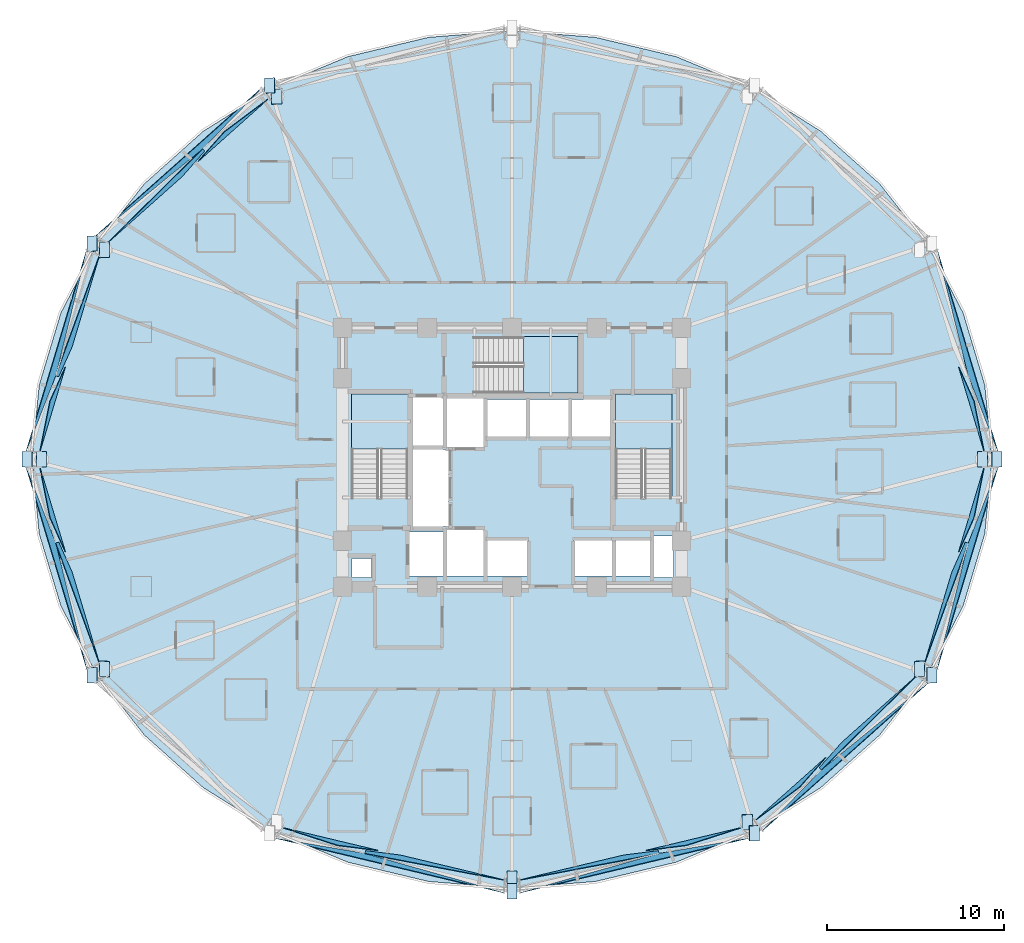
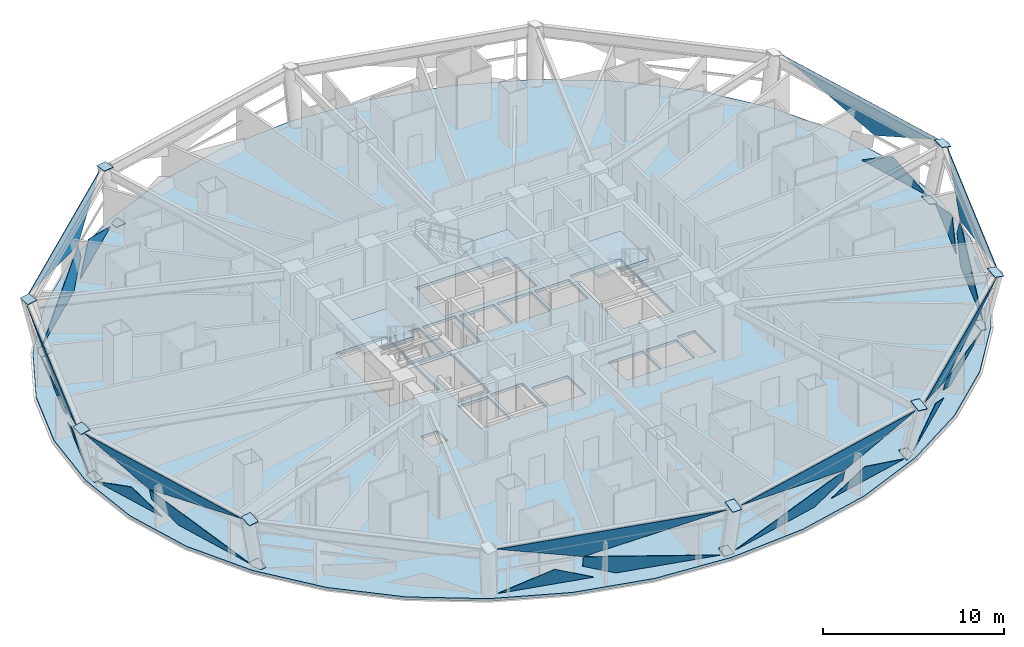
# One storey, part 3 of 13: 39 plates, 4 slabs, 11 elements without a shape of their own.
"""IFC4 building model written with IfcOpenShell, lengths in metres."""

from ifc_helpers import new_model, si_unit, direction, frame, origin, place, context, subcontext, project, spatial, polyline, outline, extrude, material, layer, layer_set, type_object, element, aggregate, save


model = new_model("IFC4")

# Units and contexts
model_context = context("Model", 3, precision=1e-05, world=origin(), true_north=direction((0.0, 1.0)))
body_context = subcontext(model_context, "Body", "Model", "MODEL_VIEW")
ifc_project = project(units=[si_unit("LENGTHUNIT", "METRE"), si_unit("AREAUNIT", "SQUARE_METRE"), si_unit("VOLUMEUNIT", "CUBIC_METRE"), si_unit("PLANEANGLEUNIT", "RADIAN"), si_unit("MASSUNIT", "GRAM", prefix="KILO")], contexts=[model_context])

# Site, building, storey
site_placement = place(None, origin())
site = spatial("IfcSite", under=ifc_project, at=site_placement, CompositionType="ELEMENT")
building_placement = place(site_placement, origin())
building = spatial("IfcBuilding", under=site, at=building_placement, Name="Vantalir Tower", CompositionType="ELEMENT")
storey_placement = place(building_placement, frame((0.0, 0.0, 53.25)))
storey = spatial("IfcBuildingStorey", under=building, at=storey_placement, Name="L12", CompositionType="ELEMENT", Elevation=53.25)

# Curtain wall, plates
ifc_material_1 = material(Name="Champagne-silver PVDF aluminium and double-silver Low-E glass", Category="aluminium")
ifc_layer_1 = layer(ifc_material_1, 0.18994140625)
ifc_layer_set_1 = layer_set([ifc_layer_1], Name="Champagne-silver PVDF aluminium and double-silver Low-E glass")
curtain_wall_type = type_object("IfcCurtainWallType", Name="CW-DIAMOND-Z1", PredefinedType="USERDEFINED", material=ifc_layer_set_1)
curtain_wall_1_placement = place(storey_placement, origin())
curtain_wall_1 = element("IfcCurtainWall", 1, at=curtain_wall_1_placement, inside=storey, type_object=curtain_wall_type, Name="L12 Quilted Pyramid-Diamond Curtain Wall S01", ObjectType="UNITISED CURTAIN WALL", PredefinedType="USERDEFINED")
ifc_material_2 = material(Name="Double-silver Low-E laminated glass IGU", Category="glass")
ifc_layer_2 = layer(ifc_material_2, 0.028076171875)
ifc_layer_set_2 = layer_set([ifc_layer_2], Name="Double-silver Low-E laminated glass IGU")
plate_type_1 = type_object("IfcPlateType", Name="CWP-IGU-28", PredefinedType="CURTAIN_PANEL", material=ifc_layer_set_2)
plate_1_placement = place(storey_placement, frame((58.2197265625, 25.473388671875, 0.039306640625), z_axis=(-0.9318457828, -0.280082738335, 0.230688310853), x_axis=(-0.287857792172, 0.957673164011, -4.9189643e-05)))
plate_1 = element("IfcPlate", 2, at=plate_1_placement, type_object=plate_type_1, Name="CW-L12-S01 Pyramid Diamond Facet 1L Infill Light", PredefinedType="CURTAIN_PANEL", context=body_context, shape_type="SweptSolid", body=[
    extrude(outline(polyline([(0.0, 0.0), (4.963252607203187, 6.253136029810147e-17), (2.870542668600201, -1.1753991083470394), (0.0, 0.0)])), origin(), (0.0, 0.0, -1.0), 0.028076171875),
])
plate_2_placement = place(storey_placement, frame((55.577392578125, 36.85546875, 3.523681640625), z_axis=(-0.937265559974, -0.281718409738, 0.205348503041), x_axis=(0.287848742224, -0.957675885245, -2.0525438e-05)))
plate_2 = element("IfcPlate", 3, at=plate_2_placement, type_object=plate_type_1, Name="CW-L12-S01 Pyramid Diamond Facet 2U", PredefinedType="CURTAIN_PANEL", context=body_context, shape_type="SweptSolid", body=[
    extrude(outline(polyline([(0.0, 0.0), (11.894539119924564, -1.7320129705455933e-17), (7.326680203736507, -1.7645038907487587), (0.0, 0.0)])), origin(), (0.0, 0.0, -1.0), 0.028076171875),
])
aggregate(curtain_wall_1, [plate_1, plate_2])

curtain_wall_2_placement = place(storey_placement, origin())
curtain_wall_2 = element("IfcCurtainWall", 4, at=curtain_wall_2_placement, inside=storey, type_object=curtain_wall_type, Name="L12 Quilted Pyramid-Diamond Curtain Wall S05", ObjectType="UNITISED CURTAIN WALL", PredefinedType="USERDEFINED")
plate_3_placement = place(storey_placement, frame((12.825439453125, 41.0234375, 0.04638671875), z_axis=(0.648992098959, -0.728137515207, 0.220510803447), x_axis=(-0.746512923572, -0.665370915305, -2.42978e-06)))
plate_3 = element("IfcPlate", 5, at=plate_3_placement, type_object=plate_type_1, Name="CW-L12-S05 Pyramid Diamond Facet 1L", PredefinedType="CURTAIN_PANEL", context=body_context, shape_type="SweptSolid", body=[
    extrude(outline(polyline([(0.0, 0.0), (5.624511723707199, 0.0), (-1.9054286544912855, -1.7708813654197804), (-1.9055298170113357, -1.0262191301632053), (0.0, 0.0)])), origin(), (0.0, 0.0, -1.0), 0.028076171875),
])
plate_4_placement = place(storey_placement, frame((17.703125, 45.412841796875, 0.03955078125), z_axis=(0.649000395385, -0.72814233764, 0.220470458173), x_axis=(-0.746504347479, -0.665380535548, -4.5910476e-05)))
plate_4 = element("IfcPlate", 6, at=plate_4_placement, type_object=plate_type_1, Name="CW-L12-S05 Pyramid Diamond Facet 1L Infill Light", PredefinedType="CURTAIN_PANEL", context=body_context, shape_type="SweptSolid", body=[
    extrude(outline(polyline([(0.0, 0.0), (5.317754110748895, 3.707971429900425e-17), (3.116942198902634, -1.1853152398055178), (0.0, 0.0)])), origin(), (0.0, 0.0, -1.0), 0.028076171875),
])
plate_5_placement = place(storey_placement, frame((7.924072265625, 37.642578125, 3.523681640625), z_axis=(0.652703129548, -0.732158949428, 0.194735455041), x_axis=(0.746451682649, 0.665439617917, -1.9399441e-05)))
plate_5 = element("IfcPlate", 7, at=plate_5_placement, type_object=plate_type_1, Name="CW-L12-S05 Pyramid Diamond Facet 2U", PredefinedType="CURTAIN_PANEL", context=body_context, shape_type="SweptSolid", body=[
    extrude(outline(polyline([(0.0, 0.0), (12.58493106400695, 2.0095687267018825e-16), (7.8134460996373605, -1.7611023806121417), (0.0, 0.0)])), origin(), (0.0, 0.0, -1.0), 0.028076171875),
])
aggregate(curtain_wall_2, [plate_3, plate_4, plate_5])

curtain_wall_3_placement = place(storey_placement, origin())
curtain_wall_3 = element("IfcCurtainWall", 8, at=curtain_wall_3_placement, inside=storey, type_object=curtain_wall_type, Name="L12 Quilted Pyramid-Diamond Curtain Wall S06", ObjectType="UNITISED CURTAIN WALL", PredefinedType="USERDEFINED")
plate_6_placement = place(storey_placement, frame((8.125, 36.49365234375, 0.04638671875), z_axis=(0.931842929681, -0.280080287907, 0.230702810406), x_axis=(-0.2878445015, -0.957677160085, -2.735766e-06)))
plate_6 = element("IfcPlate", 9, at=plate_6_placement, type_object=plate_type_1, Name="CW-L12-S06 Pyramid Diamond Facet 1L", PredefinedType="CURTAIN_PANEL", context=body_context, shape_type="SweptSolid", body=[
    extrude(outline(polyline([(0.0, 0.0), (5.3504519900705185, 0.0), (7.1821113956241245, -1.0289983419999966), (7.182081717608211, -1.775186910868049), (0.0, 0.0)])), origin(), (0.0, 0.0, -1.0), 0.028076171875),
])
plate_7_placement = place(storey_placement, frame((6.208984375, 30.2265625, 0.0390625), z_axis=(0.9318457828, -0.280082738335, 0.230688310853), x_axis=(-0.287857792172, -0.957673164011, 4.9189643e-05)))
plate_7 = element("IfcPlate", 10, at=plate_7_placement, type_object=plate_type_1, Name="CW-L12-S06 Pyramid Diamond Facet 1L Infill Light", PredefinedType="CURTAIN_PANEL", context=body_context, shape_type="SweptSolid", body=[
    extrude(outline(polyline([(0.0, 0.0), (4.963252607203187, -6.253136029810147e-17), (2.0927099386029866, -1.1753991083470394), (0.0, 0.0)])), origin(), (0.0, 0.0, -1.0), 0.028076171875),
])
plate_8_placement = place(storey_placement, frame((3.998779296875, 25.46435546875, 3.5234375), z_axis=(0.937265559974, -0.281718409738, 0.205348503041), x_axis=(0.287848742224, 0.957675885245, 2.0525438e-05)))
plate_8 = element("IfcPlate", 11, at=plate_8_placement, type_object=plate_type_1, Name="CW-L12-S06 Pyramid Diamond Facet 2U", PredefinedType="CURTAIN_PANEL", context=body_context, shape_type="SweptSolid", body=[
    extrude(outline(polyline([(0.0, 0.0), (11.894539119924564, 1.7320129705455933e-17), (4.567858916188056, -1.7645038907487587), (0.0, 0.0)])), origin(), (0.0, 0.0, -1.0), 0.028076171875),
])
aggregate(curtain_wall_3, [plate_6, plate_7, plate_8])

curtain_wall_4_placement = place(storey_placement, origin())
curtain_wall_4 = element("IfcCurtainWall", 12, at=curtain_wall_4_placement, inside=storey, type_object=curtain_wall_type, Name="L12 Quilted Pyramid-Diamond Curtain Wall S07", ObjectType="UNITISED CURTAIN WALL", PredefinedType="USERDEFINED")
plate_9_placement = place(storey_placement, frame((6.5849609375, 18.63037109375, 0.04638671875), z_axis=(0.93183636203, 0.280044403877, 0.230772888908), x_axis=(0.287814240035, -0.957686255102, -4.757763e-06)))
plate_9 = element("IfcPlate", 13, at=plate_9_placement, type_object=plate_type_1, Name="CW-L12-S07 Pyramid Diamond Facet 1L", PredefinedType="CURTAIN_PANEL", context=body_context, shape_type="SweptSolid", body=[
    extrude(outline(polyline([(0.0, 0.0), (5.350451989309619, 1.1102230246251565e-16), (-1.8313959190868625, -1.7752031246635154), (-1.8313553267858649, -1.028960605588665), (0.0, 0.0)])), origin(), (0.0, 0.0, -1.0), 0.028076171875),
])
plate_10_placement = place(storey_placement, frame((4.7802734375, 24.526611328125, 0.039306640625), z_axis=(0.9318457828, 0.280082738335, 0.230688310853), x_axis=(0.287857792172, -0.957673164011, -4.9189643e-05)))
plate_10 = element("IfcPlate", 14, at=plate_10_placement, type_object=plate_type_1, Name="CW-L12-S07 Pyramid Diamond Facet 1L Infill Light", PredefinedType="CURTAIN_PANEL", context=body_context, shape_type="SweptSolid", body=[
    extrude(outline(polyline([(0.0, 0.0), (4.963252607203187, 6.253136029810147e-17), (2.870542668600201, -1.1753991083470394), (0.0, 0.0)])), origin(), (0.0, 0.0, -1.0), 0.028076171875),
])
plate_11_placement = place(storey_placement, frame((7.422607421875, 13.1435546875, 3.523681640625), z_axis=(0.937268107359, 0.281695026072, 0.205368953873), x_axis=(-0.287826111278, 0.957682687139, -2.0523824e-05)))
plate_11 = element("IfcPlate", 15, at=plate_11_placement, type_object=plate_type_1, Name="CW-L12-S07 Pyramid Diamond Facet 2U", PredefinedType="CURTAIN_PANEL", context=body_context, shape_type="SweptSolid", body=[
    extrude(outline(polyline([(0.0, 0.0), (11.895474353602616, 4.174178364069192e-18), (7.327390189078351, -1.7645116247214283), (0.0, 0.0)])), origin(), (0.0, 0.0, -1.0), 0.028076171875),
])
aggregate(curtain_wall_4, [plate_9, plate_10, plate_11])

curtain_wall_5_placement = place(storey_placement, origin())
curtain_wall_5 = element("IfcCurtainWall", 16, at=curtain_wall_5_placement, inside=storey, type_object=curtain_wall_type, Name="L12 Quilted Pyramid-Diamond Curtain Wall S09", ObjectType="UNITISED CURTAIN WALL", PredefinedType="USERDEFINED")
plate_12_placement = place(storey_placement, frame((25.190673828125, 2.590576171875, 0.04638671875), z_axis=(0.227051981987, 0.950675076805, 0.211339290758), x_axis=(0.97264626621, -0.232291281562, -3.6578979e-05)))
plate_12 = element("IfcPlate", 17, at=plate_12_placement, type_object=plate_type_1, Name="CW-L12-S09 Pyramid Diamond Facet 1L", PredefinedType="CURTAIN_PANEL", context=body_context, shape_type="SweptSolid", body=[
    extrude(outline(polyline([(0.0, 0.0), (6.00184580491381, 2.631900773708562e-17), (-1.9899330716511916, -1.7676364424769049), (-1.9898237429534167, -1.0128188301768293), (0.0, 0.0)])), origin(), (0.0, 0.0, -1.0), 0.028076171875),
])
plate_13_placement = place(storey_placement, frame((18.54931640625, 4.14453125, 0.039794921875), z_axis=(0.227069207479, 0.950677029717, 0.211311997255), x_axis=(0.972642775064, -0.232305897817, -4.4215055e-05)))
plate_13 = element("IfcPlate", 18, at=plate_13_placement, type_object=plate_type_1, Name="CW-L12-S09 Pyramid Diamond Facet 1L Infill Light", PredefinedType="CURTAIN_PANEL", context=body_context, shape_type="SweptSolid", body=[
    extrude(outline(polyline([(0.0, 0.0), (5.521662841114861, -2.6698478497455547e-17), (3.212174689530239, -1.1753649828383772), (0.0, 0.0)])), origin(), (0.0, 0.0, -1.0), 0.028076171875),
])
plate_14_placement = place(storey_placement, frame((31.0283203125, 0.471923828125, 3.523681640625), z_axis=(0.228265136491, 0.955731160063, 0.185668998885), x_axis=(-0.972643142318, 0.232304364361, 0.0)))
plate_14 = element("IfcPlate", 19, at=plate_14_placement, type_object=plate_type_1, Name="CW-L12-S09 Pyramid Diamond Facet 2U", PredefinedType="CURTAIN_PANEL", context=body_context, shape_type="SweptSolid", body=[
    extrude(outline(polyline([(0.0, 0.0), (13.239887258321206, 0.0), (8.160150293564227, -1.758108443504608), (0.0, 0.0)])), origin(), (0.0, 0.0, -1.0), 0.028076171875),
])
aggregate(curtain_wall_5, [plate_12, plate_13, plate_14])

curtain_wall_6_placement = place(storey_placement, origin())
curtain_wall_6 = element("IfcCurtainWall", 20, at=curtain_wall_6_placement, inside=storey, type_object=curtain_wall_type, Name="L12 Quilted Pyramid-Diamond Curtain Wall S10", ObjectType="UNITISED CURTAIN WALL", PredefinedType="USERDEFINED")
plate_15_placement = place(storey_placement, frame((31.9716796875, 1.1962890625, 0.046142578125), z_axis=(-0.227051981987, 0.950675076805, 0.211339290758), x_axis=(0.97264626621, 0.232291281562, 3.6578979e-05)))
plate_15 = element("IfcPlate", 21, at=plate_15_placement, type_object=plate_type_1, Name="CW-L12-S10 Pyramid Diamond Facet 1L", PredefinedType="CURTAIN_PANEL", context=body_context, shape_type="SweptSolid", body=[
    extrude(outline(polyline([(0.0, 0.0), (6.00184580491381, -2.631900773708562e-17), (7.991669547867227, -1.0128188301768293), (7.991778876565002, -1.7676364424769049), (0.0, 0.0)])), origin(), (0.0, 0.0, -1.0), 0.028076171875),
])
plate_16_placement = place(storey_placement, frame((39.080078125, 2.86181640625, 0.03955078125), z_axis=(-0.227069207479, 0.950677029717, 0.211311997255), x_axis=(0.972642775064, 0.232305897817, 4.4215055e-05)))
plate_16 = element("IfcPlate", 22, at=plate_16_placement, type_object=plate_type_1, Name="CW-L12-S10 Pyramid Diamond Facet 1L Infill Light", PredefinedType="CURTAIN_PANEL", context=body_context, shape_type="SweptSolid", body=[
    extrude(outline(polyline([(0.0, 0.0), (5.521662841114861, 2.6698478497455547e-17), (2.3094881515846226, -1.1753649828383774), (0.0, 0.0)])), origin(), (0.0, 0.0, -1.0), 0.028076171875),
])
plate_17_placement = place(storey_placement, frame((44.849365234375, 3.547607421875, 3.523681640625), z_axis=(-0.228265136491, 0.955731160063, 0.185668998885), x_axis=(-0.972643142318, -0.232304364361, 0.0)))
plate_17 = element("IfcPlate", 23, at=plate_17_placement, type_object=plate_type_1, Name="CW-L12-S10 Pyramid Diamond Facet 2U", PredefinedType="CURTAIN_PANEL", context=body_context, shape_type="SweptSolid", body=[
    extrude(outline(polyline([(0.0, 0.0), (13.239887258321206, 0.0), (5.079736964756978, -1.758108443504608), (0.0, 0.0)])), origin(), (0.0, 0.0, -1.0), 0.028076171875),
])
aggregate(curtain_wall_6, [plate_15, plate_16, plate_17])

curtain_wall_7_placement = place(storey_placement, origin())
curtain_wall_7 = element("IfcCurtainWall", 24, at=curtain_wall_7_placement, inside=storey, type_object=curtain_wall_type, Name="L12 Quilted Pyramid-Diamond Curtain Wall S11", ObjectType="UNITISED CURTAIN WALL", PredefinedType="USERDEFINED")
plate_18_placement = place(storey_placement, frame((50.175048828125, 8.976806640625, 0.04638671875), z_axis=(-0.649047216984, 0.728083280943, 0.220527653906), x_axis=(0.746461977661, 0.665428069608, 9.146398e-06)))
plate_18 = element("IfcPlate", 25, at=plate_18_placement, type_object=plate_type_1, Name="CW-L12-S11 Pyramid Diamond Facet 1L", PredefinedType="CURTAIN_PANEL", context=body_context, shape_type="SweptSolid", body=[
    extrude(outline(polyline([(0.0, 0.0), (5.623984770218806, -1.1102230246251565e-16), (-1.9056010096465834, -1.7709108981307964), (-1.9056782172952942, -1.0265628070634218), (0.0, 0.0)])), origin(), (0.0, 0.0, -1.0), 0.028076171875),
])
plate_19_placement = place(storey_placement, frame((45.2978515625, 4.587158203125, 0.03955078125), z_axis=(-0.649019488223, 0.728074206771, 0.220639192668), x_axis=(0.746463691293, 0.665426145769, -4.5913624e-05)))
plate_19 = element("IfcPlate", 26, at=plate_19_placement, type_object=plate_type_1, Name="CW-L12-S11 Pyramid Diamond Facet 1L Infill Light", PredefinedType="CURTAIN_PANEL", context=body_context, shape_type="SweptSolid", body=[
    extrude(outline(polyline([(0.0, 0.0), (5.317389616598465, 7.649046326885234e-17), (3.1165815226829268, -1.1853616010528631), (0.0, 0.0)])), origin(), (0.0, 0.0, -1.0), 0.028076171875),
])
plate_20_placement = place(storey_placement, frame((55.075927734375, 12.3564453125, 3.523681640625), z_axis=(-0.652686062731, 0.732149068392, 0.194829785119), x_axis=(-0.746455866282, -0.66543492493, -1.9401566e-05)))
plate_20 = element("IfcPlate", 27, at=plate_20_placement, type_object=plate_type_1, Name="CW-L12-S11 Pyramid Diamond Facet 2U", PredefinedType="CURTAIN_PANEL", context=body_context, shape_type="SweptSolid", body=[
    extrude(outline(polyline([(0.0, 0.0), (12.583552264157431, -1.6317242695906842e-17), (7.812596399791709, -1.7611360151521338), (0.0, 0.0)])), origin(), (0.0, 0.0, -1.0), 0.028076171875),
])
aggregate(curtain_wall_7, [plate_18, plate_19, plate_20])

curtain_wall_8_placement = place(storey_placement, origin())
curtain_wall_8 = element("IfcCurtainWall", 28, at=curtain_wall_8_placement, inside=storey, type_object=curtain_wall_type, Name="L12 Quilted Pyramid-Diamond Curtain Wall S12", ObjectType="UNITISED CURTAIN WALL", PredefinedType="USERDEFINED")
plate_21_placement = place(storey_placement, frame((54.875, 13.50634765625, 0.04638671875), z_axis=(-0.93183636203, 0.280044403877, 0.230772888908), x_axis=(0.287814240035, 0.957686255102, 4.757763e-06)))
plate_21 = element("IfcPlate", 29, at=plate_21_placement, type_object=plate_type_1, Name="CW-L12-S12 Pyramid Diamond Facet 1L", PredefinedType="CURTAIN_PANEL", context=body_context, shape_type="SweptSolid", body=[
    extrude(outline(polyline([(0.0, 0.0), (5.350451989309619, -1.1102230246251565e-16), (7.181807316095484, -1.0289606055886653), (7.181847908396481, -1.7752031246635154), (0.0, 0.0)])), origin(), (0.0, 0.0, -1.0), 0.028076171875),
])
plate_22_placement = place(storey_placement, frame((56.791015625, 19.7734375, 0.0390625), z_axis=(-0.9318457828, 0.280082738335, 0.230688310853), x_axis=(0.287857792172, 0.957673164011, 4.9189643e-05)))
plate_22 = element("IfcPlate", 30, at=plate_22_placement, type_object=plate_type_1, Name="CW-L12-S12 Pyramid Diamond Facet 1L Infill Light", PredefinedType="CURTAIN_PANEL", context=body_context, shape_type="SweptSolid", body=[
    extrude(outline(polyline([(0.0, 0.0), (4.963252607203187, -6.253136029810147e-17), (2.0927099386029866, -1.1753991083470394), (0.0, 0.0)])), origin(), (0.0, 0.0, -1.0), 0.028076171875),
])
plate_23_placement = place(storey_placement, frame((59.001220703125, 24.53564453125, 3.5234375), z_axis=(-0.937268107359, 0.281695026072, 0.205368953873), x_axis=(-0.287826111278, -0.957682687139, 2.0523824e-05)))
plate_23 = element("IfcPlate", 31, at=plate_23_placement, type_object=plate_type_1, Name="CW-L12-S12 Pyramid Diamond Facet 2U", PredefinedType="CURTAIN_PANEL", context=body_context, shape_type="SweptSolid", body=[
    extrude(outline(polyline([(0.0, 0.0), (11.895474353602616, -4.174178364069192e-18), (4.568084164524264, -1.7645116247214283), (0.0, 0.0)])), origin(), (0.0, 0.0, -1.0), 0.028076171875),
])
aggregate(curtain_wall_8, [plate_21, plate_22, plate_23])

# Plates
ifc_material_3 = material(Name="Steel S460", Category="steel")
ifc_layer_3 = layer(ifc_material_3, 0.035888671875)
ifc_layer_set_3 = layer_set([ifc_layer_3], Name="Steel S460")
plate_type_2 = type_object("IfcPlateType", Name="PLT-KN-Z2", PredefinedType="USERDEFINED", material=ifc_layer_set_3)
for number, where, z_axis, x_axis, name in (
    (32, (58.67431640625, 25.43994140625, 3.66162109375), (0.22178480797, 0.0, 0.975095635799), (0.0, -1.0, 0.0), "L12 Ring Column Top Cap RC01"),
    (33, (57.867919921875, 25.43994140625, 0.115966796875), (0.22178480797, 0.0, 0.975095635799), (0.0, -1.0, 0.0), "L12 Ring Column Base Cap RC01"),
):
    element("IfcPlate", number, at=place(storey_placement, frame(where, z_axis=z_axis, x_axis=x_axis)), inside=storey, type_object=plate_type_2, Name=name, ObjectType="FLANGE_PLATE", PredefinedType="USERDEFINED", context=body_context, shape_type="SweptSolid", body=[
        extrude(outline(polyline([(0.0, 0.0), (0.8798828125, 0.0), (0.8798828125, 0.5801213823109923), (0.0, 0.5801213823109923), (0.0, 0.0)])), origin(), (0.0, 0.0, -1.0), 0.035888671875),
    ])
plate_24_placement = place(storey_placement, frame((17.483642578125, 46.607666015625, 3.489501953125), z_axis=(-0.111068193731, 0.172049429458, 0.978806850285), x_axis=(0.0, -0.984900639963, 0.173120563193)))
element("IfcPlate", 34, at=plate_24_placement, inside=storey, type_object=plate_type_2, Name="L12 Ring Column Top Cap RC05", ObjectType="FLANGE_PLATE", PredefinedType="USERDEFINED", context=body_context, shape_type="SweptSolid", body=[
    extrude(outline(polyline([(0.0, 0.0), (0.8799864510013339, 0.0), (0.880155107649765, 0.5800046275819029), (0.0001686566484311678, 0.5800046275819029), (0.0, 0.0)])), origin(), (0.0, 0.0, -1.0), 0.035888671875),
])
plate_25_placement = place(storey_placement, frame((17.886962890625, 45.98388671875, -0.05615234375), z_axis=(-0.11134489342, 0.172177788516, 0.978752841044), x_axis=(-1.5117411e-05, -0.984877272285, 0.17325345107)))
element("IfcPlate", 35, at=plate_25_placement, inside=storey, type_object=plate_type_2, Name="L12 Ring Column Base Cap RC05", ObjectType="FLANGE_PLATE", PredefinedType="USERDEFINED", context=body_context, shape_type="SweptSolid", body=[
    extrude(outline(polyline([(0.0, 0.0), (0.8799864428905988, 0.0), (0.8799569272649226, 0.580036084531164), (-7.181383150386793e-05, 0.5800093111772098), (0.0, 0.0)])), origin(), (0.0, 0.0, -1.0), 0.035888671875),
])
plate_26_placement = place(storey_placement, frame((7.43701171875, 37.659912109375, 3.49755859375), z_axis=(-0.19231840821, 0.098967024038, 0.976329431092), x_axis=(-2.6047329e-05, -0.994902194436, 0.10084454783)))
element("IfcPlate", 36, at=plate_26_placement, inside=storey, type_object=plate_type_2, Name="L12 Ring Column Top Cap RC06", ObjectType="FLANGE_PLATE", PredefinedType="USERDEFINED", context=body_context, shape_type="SweptSolid", body=[
    extrude(outline(polyline([(0.0, 0.0), (0.879962363308463, 0.0), (0.8799765361587466, 0.5799407158308892), (-1.044740065151567e-05, 0.5798940018210784), (0.0, 0.0)])), origin(), (0.0, 0.0, -1.0), 0.035888671875),
])
plate_27_placement = place(storey_placement, frame((8.13525390625, 37.30029296875, -0.048095703125), z_axis=(-0.192116716053, 0.099105756914, 0.976355066745), x_axis=(0.0, -0.994887752141, 0.100986933012)))
element("IfcPlate", 37, at=plate_27_placement, inside=storey, type_object=plate_type_2, Name="L12 Ring Column Base Cap RC06", ObjectType="FLANGE_PLATE", PredefinedType="USERDEFINED", context=body_context, shape_type="SweptSolid", body=[
    extrude(outline(polyline([(0.0, 0.0), (0.879986992869917, 0.0), (0.8800073129355287, 0.5798940138062991), (2.032006561176504e-05, 0.5798940138062992), (0.0, 0.0)])), origin(), (0.0, 0.0, -1.0), 0.035888671875),
])
for number, where, z_axis, x_axis, name in (
    (38, (3.760009765625, 25.43994140625, 3.532958984375), (-0.22178480797, 0.0, 0.975095635799), (0.0, -1.0, 0.0), "L12 Ring Column Top Cap RC07"),
    (39, (4.56640625, 25.43994140625, -0.0126953125), (-0.22178480797, 0.0, 0.975095635799), (0.0, -1.0, 0.0), "L12 Ring Column Base Cap RC07"),
):
    element("IfcPlate", number, at=place(storey_placement, frame(where, z_axis=z_axis, x_axis=x_axis)), inside=storey, type_object=plate_type_2, Name=name, ObjectType="FLANGE_PLATE", PredefinedType="USERDEFINED", context=body_context, shape_type="SweptSolid", body=[
        extrude(outline(polyline([(0.0, 0.0), (0.8798828125, 0.0), (0.8798828125, 0.5801213823109923), (0.0, 0.5801213823109923), (0.0, 0.0)])), origin(), (0.0, 0.0, -1.0), 0.035888671875),
    ])
plate_28_placement = place(storey_placement, frame((7.43701171875, 13.214599609375, 3.58642578125), z_axis=(-0.192318393246, -0.099236505354, 0.976302080109), x_axis=(-2.6045138e-05, -0.994873289228, -0.101129311781)))
element("IfcPlate", 40, at=plate_28_placement, inside=storey, type_object=plate_type_2, Name="L12 Ring Column Top Cap RC08", ObjectType="FLANGE_PLATE", PredefinedType="USERDEFINED", context=body_context, shape_type="SweptSolid", body=[
    extrude(outline(polyline([(0.0, 0.0), (0.8800116733333734, 0.0), (0.879935897754199, 0.5799407110543036), (-5.108580579035564e-05, 0.579893999665671), (0.0, 0.0)])), origin(), (0.0, 0.0, -1.0), 0.035888671875),
])
plate_29_placement = place(storey_placement, frame((8.13525390625, 13.5751953125, 0.040771484375), z_axis=(-0.192338893762, -0.099249796039, 0.976296690526), x_axis=(-2.3399768e-05, -0.994871922784, -0.101142754108)))
element("IfcPlate", 41, at=plate_29_placement, inside=storey, type_object=plate_type_2, Name="L12 Ring Column Base Cap RC08", ObjectType="FLANGE_PLATE", PredefinedType="USERDEFINED", context=body_context, shape_type="SweptSolid", body=[
    extrude(outline(polyline([(0.0, 0.0), (0.8800116748908162, 3.469446951953614e-18), (0.8799358961968903, 0.5799407134171862), (0.000191803014299715, 0.5798987520616958), (0.0, 0.0)])), origin(), (0.0, 0.0, -1.0), 0.035888671875),
])
plate_30_placement = place(storey_placement, frame((31.2099609375, 0.974609375, 3.68505859375), z_axis=(0.0, -0.199209804039, 0.979956863323), x_axis=(0.0, -0.979956863323, -0.199209804039)))
element("IfcPlate", 42, at=plate_30_placement, inside=storey, type_object=plate_type_2, Name="L12 Ring Column Top Cap RC10", ObjectType="FLANGE_PLATE", PredefinedType="USERDEFINED", context=body_context, shape_type="SweptSolid", body=[
    extrude(outline(polyline([(0.0, 0.0), (0.8799414747457135, 0.0), (0.8799414747457135, 0.580078125), (0.0, 0.580078125), (0.0, 0.0)])), origin(), (0.0, 0.0, -1.0), 0.035888671875),
])
plate_31_placement = place(storey_placement, frame((31.2099609375, 1.694580078125, 0.139404296875), z_axis=(0.0, -0.198943341493, 0.980010993242), x_axis=(0.0, -0.980010993242, -0.198943341493)))
element("IfcPlate", 43, at=plate_31_placement, inside=storey, type_object=plate_type_2, Name="L12 Ring Column Base Cap RC10", ObjectType="FLANGE_PLATE", PredefinedType="USERDEFINED", context=body_context, shape_type="SweptSolid", body=[
    extrude(outline(polyline([(0.0, 0.0), (0.8798928720659172, 0.0), (0.8798928720659172, 0.580078125), (0.0, 0.580078125), (0.0, 0.0)])), origin(), (0.0, 0.0, -1.0), 0.035888671875),
])
plate_32_placement = place(storey_placement, frame((44.94091796875, 4.248046875, 3.705322265625), z_axis=(0.111068193731, -0.172049429458, 0.978806850285), x_axis=(0.0, -0.984900639963, -0.173120563193)))
element("IfcPlate", 44, at=plate_32_placement, inside=storey, type_object=plate_type_2, Name="L12 Ring Column Top Cap RC11", ObjectType="FLANGE_PLATE", PredefinedType="USERDEFINED", context=body_context, shape_type="SweptSolid", body=[
    extrude(outline(polyline([(0.0, 0.0), (0.8799864510013339, 0.0), (0.880155107649765, 0.5800046275819029), (0.0001686566484311678, 0.5800046275819029), (0.0, 0.0)])), origin(), (0.0, 0.0, -1.0), 0.035888671875),
])
plate_33_placement = place(storey_placement, frame((44.53759765625, 4.87158203125, 0.159912109375), z_axis=(0.11134489342, -0.172177788516, 0.978752841044), x_axis=(1.5116684e-05, -0.984876685388, -0.173256787317)))
element("IfcPlate", 45, at=plate_33_placement, inside=storey, type_object=plate_type_2, Name="L12 Ring Column Base Cap RC11", ObjectType="FLANGE_PLATE", PredefinedType="USERDEFINED", context=body_context, shape_type="SweptSolid", body=[
    extrude(outline(polyline([(0.0, 0.0), (0.880028741503693, -3.469446951953614e-18), (0.8799745734533799, 0.5800093130936006), (-1.1869029972097142e-05, 0.5800360851606925), (0.0, 0.0)])), origin(), (0.0, 0.0, -1.0), 0.035888671875),
])
plate_34_placement = place(storey_placement, frame((54.993896484375, 13.203369140625, 3.697265625), z_axis=(0.192318393246, -0.099236505354, 0.976302080109), x_axis=(-2.6045869e-05, -0.994874321568, -0.101119155485)))
element("IfcPlate", 46, at=plate_34_placement, inside=storey, type_object=plate_type_2, Name="L12 Ring Column Top Cap RC12", ObjectType="FLANGE_PLATE", PredefinedType="USERDEFINED", context=body_context, shape_type="SweptSolid", body=[
    extrude(outline(polyline([(0.0, 0.0), (0.8799869847997542, 0.0), (0.8800319760190464, 0.5799407142595697), (2.0303925472456644e-05, 0.5798940015604227), (0.0, 0.0)])), origin(), (0.0, 0.0, -1.0), 0.035888671875),
])
plate_35_placement = place(storey_placement, frame((54.295654296875, 13.563720703125, 0.151611328125), z_axis=(0.192338893762, -0.099249796039, 0.976296690526), x_axis=(-2.3406885e-05, -0.994872850629, -0.101133627117)))
element("IfcPlate", 47, at=plate_35_placement, inside=storey, type_object=plate_type_2, Name="L12 Ring Column Base Cap RC12", ObjectType="FLANGE_PLATE", PredefinedType="USERDEFINED", context=body_context, shape_type="SweptSolid", body=[
    extrude(outline(polyline([(0.0, 0.0), (0.8797440941833108, -3.469446951953614e-18), (0.8797922113121569, 0.5799407163719297), (-0.00021946257763472317, 0.5798987422535813), (0.0, 0.0)])), origin(), (0.0, 0.0, -1.0), 0.035888671875),
])

# Stair, slab
ifc_material_4 = material(Name="Concrete C40/50", Category="concrete")
stair_type = type_object("IfcStairType", Name="STR-CORE-1450", PredefinedType="HALF_TURN_STAIR", material=ifc_material_4)
stair_1_placement = place(storey_placement, origin())
stair_1 = element("IfcStair", 48, at=stair_1_placement, inside=storey, type_object=stair_type, Name="L12 Core Exit Stair 1", PredefinedType="HALF_TURN_STAIR")
ifc_layer_4 = layer(ifc_material_4, 0.199951171875)
ifc_layer_set_4 = layer_set([ifc_layer_4], Name="Concrete C40/50")
slab_type_1 = type_object("IfcSlabType", Name="SL-LAND-200", PredefinedType="LANDING", material=ifc_layer_set_4)
slab_1_placement = place(storey_placement, frame((0.0, 0.0, 1.675048828125)))
slab_1 = element("IfcSlab", 49, at=slab_1_placement, type_object=slab_type_1, Name="ST1 landing 1", PredefinedType="LANDING", context=body_context, shape_type="SweptSolid", body=[
    extrude(outline(polyline([(25.60009765625, 25.590087890625), (25.60009765625, 28.699951171875), (22.39990234375, 28.699951171875), (22.39990234375, 25.590087890625), (25.60009765625, 25.590087890625)])), origin(), (0.0, 0.0, 1.0), 0.199951171875),
])
aggregate(stair_1, [slab_1])

stair_2_placement = place(storey_placement, origin())
stair_2 = element("IfcStair", 50, at=stair_2_placement, inside=storey, type_object=stair_type, Name="L12 Core Exit Stair 2", PredefinedType="HALF_TURN_STAIR")
slab_2_placement = place(storey_placement, frame((0.0, 0.0, 1.675048828125)))
slab_2 = element("IfcSlab", 51, at=slab_2_placement, type_object=slab_type_1, Name="ST2 landing 1", PredefinedType="LANDING", context=body_context, shape_type="SweptSolid", body=[
    extrude(outline(polyline([(40.550048828125, 25.590087890625), (40.550048828125, 28.699951171875), (37.35009765625, 28.699951171875), (37.35009765625, 25.590087890625), (40.550048828125, 25.590087890625)])), origin(), (0.0, 0.0, 1.0), 0.199951171875),
])
aggregate(stair_2, [slab_2])

stair_3_placement = place(storey_placement, origin())
stair_3 = element("IfcStair", 52, at=stair_3_placement, inside=storey, type_object=stair_type, Name="L12 Core Exit Stair 3", PredefinedType="HALF_TURN_STAIR")
slab_3_placement = place(storey_placement, frame((0.0, 0.0, 1.675048828125)))
slab_3 = element("IfcSlab", 53, at=slab_3_placement, type_object=slab_type_1, Name="ST3 landing 1", PredefinedType="LANDING", context=body_context, shape_type="SweptSolid", body=[
    extrude(outline(polyline([(32.139892578125, 28.75), (35.25, 28.75), (35.25, 31.949951171875), (32.139892578125, 31.949951171875), (32.139892578125, 28.75)])), origin(), (0.0, 0.0, 1.0), 0.199951171875),
])
aggregate(stair_3, [slab_3])

# Slab
ifc_layer_5 = layer(ifc_material_4, 0.179931640625)
ifc_layer_set_5 = layer_set([ifc_layer_5], Name="Concrete C40/50")
slab_type_2 = type_object("IfcSlabType", Name="SL-TWR-180", PredefinedType="FLOOR", material=ifc_layer_set_5)
slab_4_placement = place(storey_placement, frame((0.0, 0.0, -0.179931640625)))
element("IfcSlab", 54, at=slab_4_placement, inside=storey, type_object=slab_type_2, Name="L12 Primary Structural Slab", PredefinedType="FLOOR", context=body_context, shape_type="SweptSolid", body=[
    extrude(outline(polyline([(7.9541015625, 12.862060546875), (10.672119140625, 9.39599609375), (14.02294921875, 6.404052734375), (17.905029296875, 3.97607421875), (22.200927734375, 2.18798828125), (26.779052734375, 1.093017578125), (31.5, 0.72412109375), (36.220947265625, 1.093017578125), (40.799072265625, 2.18798828125), (45.094970703125, 3.97607421875), (48.97705078125, 6.404052734375), (52.327880859375, 9.39599609375), (55.0458984375, 12.862060546875), (57.049072265625, 16.697021484375), (58.27587890625, 20.784912109375), (58.68896484375, 25.0), (58.27587890625, 29.215087890625), (57.049072265625, 33.302978515625), (55.0458984375, 37.137939453125), (52.327880859375, 40.60400390625), (48.97705078125, 43.595947265625), (45.094970703125, 46.02392578125), (40.799072265625, 47.81201171875), (36.220947265625, 48.906982421875), (31.5, 49.27587890625), (26.779052734375, 48.906982421875), (22.200927734375, 47.81201171875), (17.906005859375, 46.02392578125), (14.02294921875, 43.595947265625), (10.672119140625, 40.60400390625), (7.9541015625, 37.137939453125), (5.950927734375, 33.302978515625), (4.72412109375, 29.215087890625), (4.31103515625, 25.0), (4.72412109375, 20.784912109375), (5.950927734375, 16.697021484375), (7.9541015625, 12.862060546875)]), holes=[polyline([(22.39990234375, 22.7900390625), (22.39990234375, 28.699951171875), (25.60009765625, 28.699951171875), (25.60009765625, 22.7900390625), (22.39990234375, 22.7900390625)]), polyline([(37.35009765625, 28.699951171875), (40.550048828125, 28.699951171875), (40.550048828125, 22.7900390625), (37.35009765625, 22.7900390625), (37.35009765625, 28.699951171875)]), polyline([(35.25, 28.75), (29.340087890625, 28.75), (29.340087890625, 31.949951171875), (35.25, 31.949951171875), (35.25, 28.75)]), polyline([(27.60009765625, 18.39990234375), (25.699951171875, 18.39990234375), (25.699951171875, 20.89990234375), (27.60009765625, 20.89990234375), (27.60009765625, 18.39990234375)]), polyline([(25.699951171875, 25.800048828125), (25.699951171875, 28.5), (27.60009765625, 28.5), (27.60009765625, 25.800048828125), (25.699951171875, 25.800048828125)]), polyline([(27.800048828125, 21.0), (29.89990234375, 21.0), (29.89990234375, 18.39990234375), (27.800048828125, 18.39990234375), (27.800048828125, 21.0)]), polyline([(29.89990234375, 28.5), (29.89990234375, 25.699951171875), (27.800048828125, 25.699951171875), (27.800048828125, 28.5), (29.89990234375, 28.5)]), polyline([(32.39990234375, 18.39990234375), (30.10009765625, 18.39990234375), (30.10009765625, 20.39990234375), (32.39990234375, 20.39990234375), (32.39990234375, 18.39990234375)]), polyline([(37.35009765625, 18.39990234375), (37.35009765625, 20.39990234375), (39.35009765625, 20.39990234375), (39.35009765625, 18.39990234375), (37.35009765625, 18.39990234375)]), polyline([(35.0, 20.39990234375), (37.199951171875, 20.39990234375), (37.199951171875, 18.39990234375), (35.0, 18.39990234375), (35.0, 20.39990234375)]), polyline([(32.300048828125, 28.39990234375), (32.300048828125, 26.300048828125), (30.10009765625, 26.300048828125), (30.10009765625, 28.39990234375), (32.300048828125, 28.39990234375)]), polyline([(34.699951171875, 26.300048828125), (32.5, 26.300048828125), (32.5, 28.39990234375), (34.699951171875, 28.39990234375), (34.699951171875, 26.300048828125)]), polyline([(34.89990234375, 26.300048828125), (34.89990234375, 28.39990234375), (37.10009765625, 28.39990234375), (37.10009765625, 26.300048828125), (34.89990234375, 26.300048828125)]), polyline([(25.889892578125, 25.56005859375), (27.89990234375, 25.56005859375), (27.89990234375, 21.199951171875), (25.889892578125, 21.199951171875), (25.889892578125, 25.56005859375)]), polyline([(23.550048828125, 19.39990234375), (23.550048828125, 18.300048828125), (22.449951171875, 18.300048828125), (22.449951171875, 19.39990234375), (23.550048828125, 19.39990234375)]), polyline([(40.64990234375, 18.300048828125), (39.550048828125, 18.300048828125), (39.550048828125, 20.64990234375), (40.64990234375, 20.64990234375), (40.64990234375, 18.300048828125)])]), origin(), (0.0, 0.0, 1.0), 0.179931640625),
])

save(model, "model.ifc")
